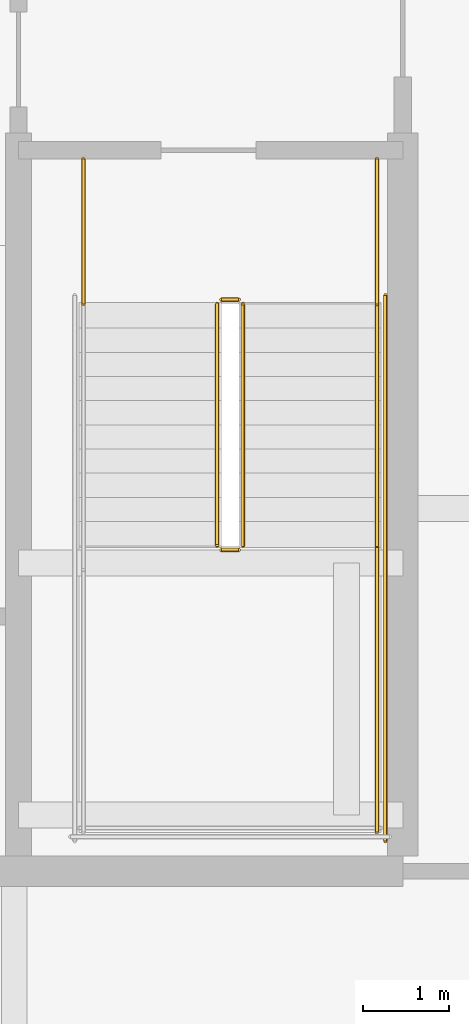
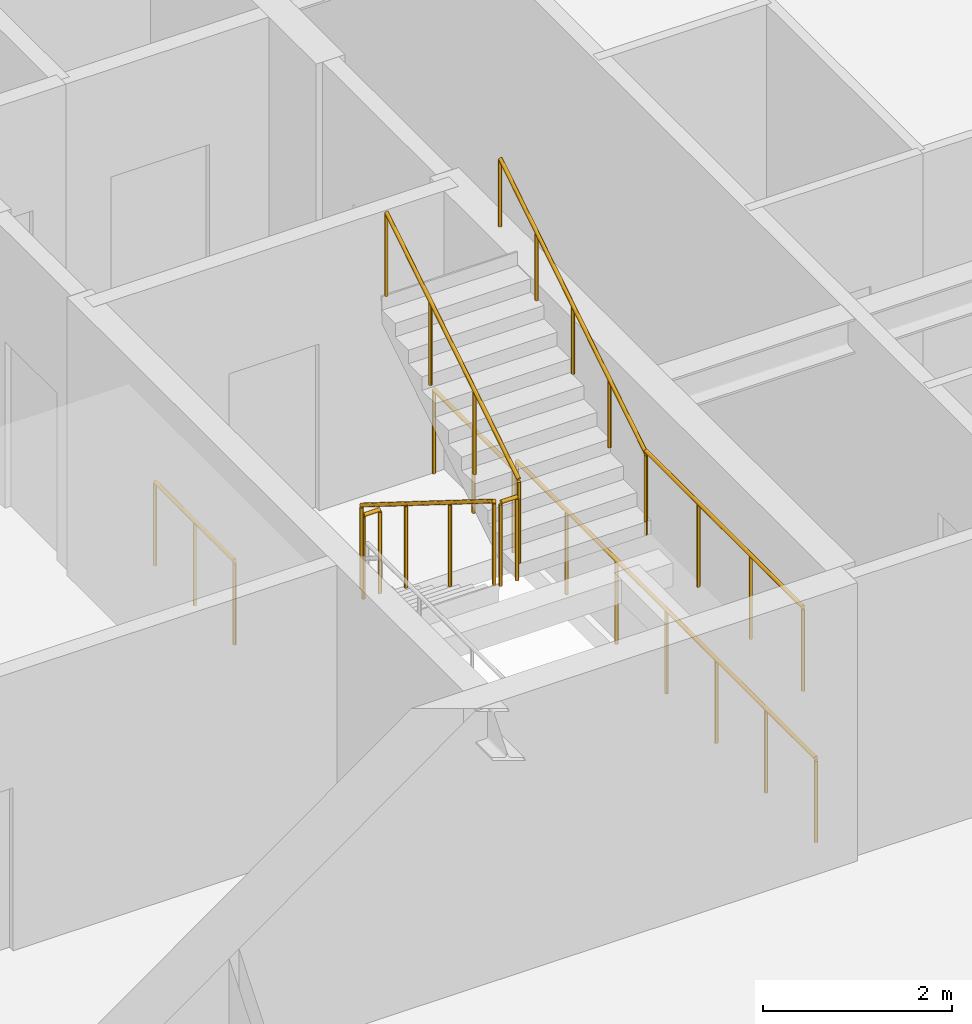
# One storey, part 35 of 36: 9 railings.
"""IFC4 building model written with IfcOpenShell, lengths in metres."""

from ifc_helpers import new_model, si_unit, direction, frame, origin, origin_2d, place, context, subcontext, project, spatial, circle, extrude, material, type_object, element, save


model = new_model("IFC4")

# Units and contexts
model_context = context("Model", 3, precision=1e-05, world=origin(), true_north=direction((0.0, 1.0)))
body_context = subcontext(model_context, "Body", "Model", "MODEL_VIEW")
ifc_project = project(units=[si_unit("LENGTHUNIT", "METRE"), si_unit("AREAUNIT", "SQUARE_METRE"), si_unit("VOLUMEUNIT", "CUBIC_METRE"), si_unit("PLANEANGLEUNIT", "RADIAN"), si_unit("MASSUNIT", "GRAM", prefix="KILO")], contexts=[model_context])

# Site, building, storey
site_placement = place(None, origin())
site = spatial("IfcSite", under=ifc_project, at=site_placement, CompositionType="ELEMENT")
building_placement = place(site_placement, origin())
building = spatial("IfcBuilding", under=site, at=building_placement, Name="Serunith Strait Residences", CompositionType="ELEMENT")
storey_placement = place(building_placement, frame((0.0, 0.0, 225.85009765625)))
storey = spatial("IfcBuildingStorey", under=building, at=storey_placement, Name="L56", CompositionType="ELEMENT", Elevation=225.85009765625)

# Railings
ifc_material = material(Name="Brushed stainless steel 316L", Category="steel")
railing_type_1 = type_object("IfcRailingType", Name="RLG-STAIR-GUARD", PredefinedType="BALUSTRADE", material=ifc_material)
railing_1_placement = place(storey_placement, frame((39.25, 23.3701171875, 0.1748046875)))
element("IfcRailing", 1, at=railing_1_placement, inside=storey, type_object=railing_type_1, Name="L56 ST-2 stair guard 1", PredefinedType="BALUSTRADE", context=body_context, shape_type="SweptSolid", body=[
    extrude(circle(Radius=0.02392578125, at=origin_2d()), frame((0.0, -0.001708984375, 1.0771484375), z_axis=(0.0, -0.848002457836, 0.529992293815), x_axis=(1.0, 0.0, 0.0)), (0.0, 0.0, 1.0), 3.2978515625),
    extrude(circle(Radius=0.02099609375, at=origin_2d()), origin(), (0.0, 0.0, 1.0), 1.050048828125),
    extrude(circle(Radius=0.02099609375, at=origin_2d()), frame((0.0, -0.933349609375, 0.583251953125)), (0.0, 0.0, 1.0), 1.050048828125),
    extrude(circle(Radius=0.02099609375, at=origin_2d()), frame((0.0, -1.86669921875, 1.166748046875)), (0.0, 0.0, 1.0), 1.050048828125),
    extrude(circle(Radius=0.02099609375, at=origin_2d()), frame((0.0, -2.800048828125, 1.75)), (0.0, 0.0, 1.0), 1.050048828125),
])
railing_2_placement = place(storey_placement, frame((39.300048828125, 20.52001953125, 1.9248046875)))
element("IfcRailing", 2, at=railing_2_placement, inside=storey, type_object=railing_type_1, Name="L56 ST-2 stair guard 2", PredefinedType="BALUSTRADE", context=body_context, shape_type="SweptSolid", body=[
    extrude(circle(Radius=0.02392578125, at=origin_2d()), frame((0.001953125, 0.0, 1.076171875), z_axis=(1.0, 0.0, 0.0), x_axis=(0.0, 1.0, 0.0)), (0.0, 0.0, 1.0), 0.196044921875),
    extrude(circle(Radius=0.02099609375, at=origin_2d()), origin(), (0.0, 0.0, 1.0), 1.050048828125),
    extrude(circle(Radius=0.02099609375, at=origin_2d()), frame((0.199951171875, 0.0, 0.0)), (0.0, 0.0, 1.0), 1.050048828125),
])
railing_3_placement = place(storey_placement, frame((41.10009765625, 20.570068359375, 1.9248046875)))
element("IfcRailing", 3, at=railing_3_placement, inside=storey, type_object=railing_type_1, Name="L56 ST-2 stair guard 4", PredefinedType="BALUSTRADE", context=body_context, shape_type="SweptSolid", body=[
    extrude(circle(Radius=0.02392578125, at=origin_2d()), frame((0.0, -0.001953125, 1.076171875), z_axis=(0.0, -1.0, 0.0), x_axis=(1.0, 0.0, 0.0)), (0.0, 0.0, 1.0), 3.316162109375),
    extrude(circle(Radius=0.02099609375, at=origin_2d()), origin(), (0.0, 0.0, 1.0), 1.050048828125),
    extrude(circle(Radius=0.02099609375, at=origin_2d()), frame((0.0, -1.106689453125, 0.0)), (0.0, 0.0, 1.0), 1.050048828125),
    extrude(circle(Radius=0.02099609375, at=origin_2d()), frame((0.0, -2.21337890625, 0.0)), (0.0, 0.0, 1.0), 1.050048828125),
    extrude(circle(Radius=0.02099609375, at=origin_2d()), frame((0.0, -3.320068359375, 0.0)), (0.0, 0.0, 1.0), 1.050048828125),
])
railing_4_placement = place(storey_placement, frame((39.550048828125, 20.570068359375, 2.099853515625)))
element("IfcRailing", 4, at=railing_4_placement, inside=storey, type_object=railing_type_1, Name="L56 ST-2 stair guard 6", PredefinedType="BALUSTRADE", context=body_context, shape_type="SweptSolid", body=[
    extrude(circle(Radius=0.02392578125, at=origin_2d()), frame((0.0, 0.001708984375, 1.0771484375), z_axis=(0.0, 0.848002457836, 0.529992293815), x_axis=(-1.0, 0.0, 0.0)), (0.0, 0.0, 1.0), 3.2978515625),
    extrude(circle(Radius=0.02099609375, at=origin_2d()), origin(), (0.0, 0.0, 1.0), 1.050048828125),
    extrude(circle(Radius=0.02099609375, at=origin_2d()), frame((0.0, 0.933349609375, 0.583251953125)), (0.0, 0.0, 1.0), 1.050048828125),
    extrude(circle(Radius=0.02099609375, at=origin_2d()), frame((0.0, 1.86669921875, 1.166748046875)), (0.0, 0.0, 1.0), 1.050048828125),
    extrude(circle(Radius=0.02099609375, at=origin_2d()), frame((0.0, 2.800048828125, 1.75)), (0.0, 0.0, 1.0), 1.050048828125),
])
railing_5_placement = place(storey_placement, frame((39.300048828125, 23.419921875, 0.0)))
element("IfcRailing", 5, at=railing_5_placement, inside=storey, type_object=railing_type_1, Name="L56 ST-2 stair guard 7", PredefinedType="BALUSTRADE", context=body_context, shape_type="SweptSolid", body=[
    extrude(circle(Radius=0.02392578125, at=origin_2d()), frame((0.001953125, 0.0, 1.076171875), z_axis=(1.0, 0.0, 0.0), x_axis=(0.0, 1.0, 0.0)), (0.0, 0.0, 1.0), 0.196044921875),
    extrude(circle(Radius=0.02099609375, at=origin_2d()), origin(), (0.0, 0.0, 1.0), 1.050048828125),
    extrude(circle(Radius=0.02099609375, at=origin_2d()), frame((0.199951171875, 0.0, 0.0)), (0.0, 0.0, 1.0), 1.050048828125),
])
for number, where, name in (
    (6, (37.699951171875, 25.050048828125, 0.0), "L56 ST-2 stair guard 8"),
    (7, (41.10009765625, 25.050048828125, 0.0), "L56 ST-2 stair guard 9"),
):
    element("IfcRailing", number, at=place(storey_placement, frame(where)), inside=storey, type_object=railing_type_1, Name=name, PredefinedType="BALUSTRADE", context=body_context, shape_type="SweptSolid", body=[
        extrude(circle(Radius=0.02392578125, at=origin_2d()), frame((0.0, -0.001953125, 1.076171875), z_axis=(0.0, -1.0, 0.0), x_axis=(1.0, 0.0, 0.0)), (0.0, 0.0, 1.0), 1.676025390625),
        extrude(circle(Radius=0.02099609375, at=origin_2d()), origin(), (0.0, 0.0, 1.0), 1.050048828125),
        extrude(circle(Radius=0.02099609375, at=origin_2d()), frame((0.0, -0.83984375, 0.0)), (0.0, 0.0, 1.0), 1.050048828125),
        extrude(circle(Radius=0.02099609375, at=origin_2d()), frame((0.0, -1.679931640625, 0.0)), (0.0, 0.0, 1.0), 1.050048828125),
    ])
railing_6_placement = place(storey_placement, frame((41.199951171875, 23.469970703125, 0.0)))
element("IfcRailing", 8, at=railing_6_placement, inside=storey, type_object=railing_type_1, Name="L56 ST-2 stair guard 11", PredefinedType="BALUSTRADE", context=body_context, shape_type="SweptSolid", body=[
    extrude(circle(Radius=0.02392578125, at=origin_2d()), frame((0.0, -0.001953125, 1.076171875), z_axis=(0.0, -1.0, 0.0), x_axis=(1.0, 0.0, 0.0)), (0.0, 0.0, 1.0), 6.316162109375),
    extrude(circle(Radius=0.02099609375, at=origin_2d()), origin(), (0.0, 0.0, 1.0), 1.050048828125),
    extrude(circle(Radius=0.02099609375, at=origin_2d()), frame((0.0, -1.05322265625, 0.0)), (0.0, 0.0, 1.0), 1.050048828125),
    extrude(circle(Radius=0.02099609375, at=origin_2d()), frame((0.0, -2.106689453125, 0.0)), (0.0, 0.0, 1.0), 1.050048828125),
    extrude(circle(Radius=0.02099609375, at=origin_2d()), frame((0.0, -3.16015625, 0.0)), (0.0, 0.0, 1.0), 1.050048828125),
    extrude(circle(Radius=0.02099609375, at=origin_2d()), frame((0.0, -4.21337890625, 0.0)), (0.0, 0.0, 1.0), 1.050048828125),
    extrude(circle(Radius=0.02099609375, at=origin_2d()), frame((0.0, -5.2666015625, 0.0)), (0.0, 0.0, 1.0), 1.050048828125),
    extrude(circle(Radius=0.02099609375, at=origin_2d()), frame((0.0, -6.320068359375, 0.0)), (0.0, 0.0, 1.0), 1.050048828125),
])
railing_type_2 = type_object("IfcRailingType", Name="RLG-STAIR-HR", PredefinedType="HANDRAIL", material=ifc_material)
railing_7_placement = place(storey_placement, frame((41.10009765625, 20.570068359375, 2.099853515625)))
element("IfcRailing", 9, at=railing_7_placement, inside=storey, type_object=railing_type_2, Name="L56 ST-2 stair handrail 2", PredefinedType="HANDRAIL", context=body_context, shape_type="SweptSolid", body=[
    extrude(circle(Radius=0.02392578125, at=origin_2d()), frame((0.0, 0.001708984375, 0.876953125), z_axis=(0.0, 0.847375056783, 0.530994833442), x_axis=(-1.0, 0.0, 0.0)), (0.0, 0.0, 1.0), 3.630615234375),
    extrude(circle(Radius=0.02099609375, at=origin_2d()), origin(), (0.0, 0.0, 1.0), 0.849853515625),
    extrude(circle(Radius=0.02099609375, at=origin_2d()), frame((0.0, 0.77001953125, 0.482421875)), (0.0, 0.0, 1.0), 0.849853515625),
    extrude(circle(Radius=0.02099609375, at=origin_2d()), frame((0.0, 1.5400390625, 0.96484375)), (0.0, 0.0, 1.0), 0.849853515625),
    extrude(circle(Radius=0.02099609375, at=origin_2d()), frame((0.0, 2.309814453125, 1.447509765625)), (0.0, 0.0, 1.0), 0.849853515625),
    extrude(circle(Radius=0.02099609375, at=origin_2d()), frame((0.0, 3.079833984375, 1.929931640625)), (0.0, 0.0, 1.0), 0.849853515625),
])

save(model, "model.ifc")
